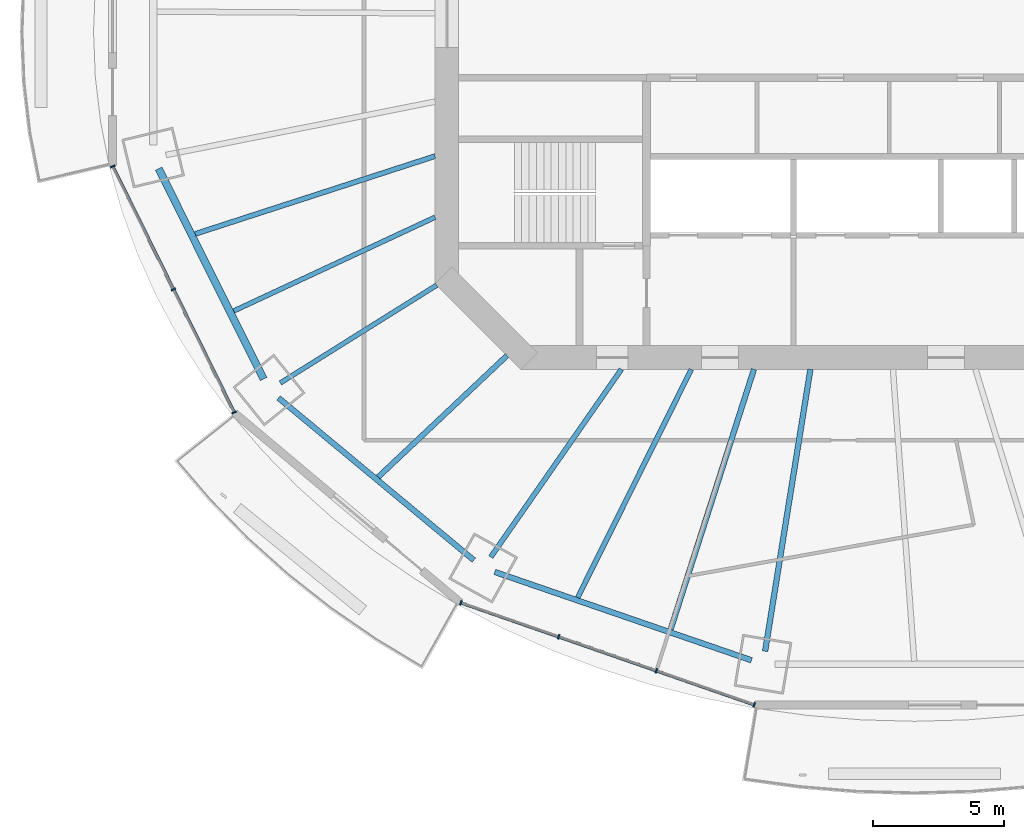
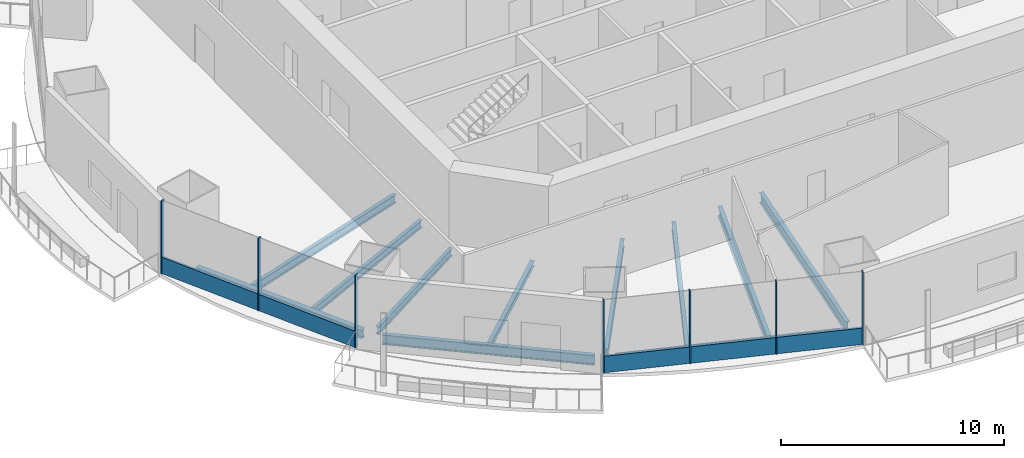
# One storey, part 2 of 20: 11 beams, 9 members, 2 elements without a shape of their own.
"""IFC4 building model written with IfcOpenShell, lengths in metres."""

import ifcopenshell
import ifcopenshell.guid

model = None  # the IFC model being written
_history = None  # IfcOwnerHistory: only IFC2X3 demands one
_inside = {}  # id of a spatial element -> (the spatial element, [elements in it])
_under = {}  # id of a project, library or spatial element -> (it, [spatial elements below it])
_declared = {}  # id of a project -> (the project, [libraries it declares])
_typed = {}  # id of a type object -> (the type object, [elements of that type])
_made_of = {}  # id of a material, layer set ... -> (it, [elements and type objects made of it])


def new_model(schema):
    """Start an empty IFC model of exactly this schema.

    Asked for "IFC4X3", IfcOpenShell would pick the latest addendum, in which some entities
    have other attributes; the version numbers below select the first issue.
    IFC2X3 requires an IfcOwnerHistory on every rooted entity: one is made here for all.
    """
    global model, _history
    if schema == "IFC4X3":
        model = ifcopenshell.file(schema_version=(4, 3, 0, 0))
    else:
        model = ifcopenshell.file(schema=schema)
    _inside.clear()
    _under.clear()
    _declared.clear()
    _typed.clear()
    _made_of.clear()
    _history = None
    if model.schema == "IFC2X3":
        org = make("IfcOrganization", Name="unknown")
        user = make(
            "IfcPersonAndOrganization",
            ThePerson=make("IfcPerson", FamilyName="unknown"),
            TheOrganization=org,
        )
        app = make(
            "IfcApplication",
            ApplicationDeveloper=org,
            Version="unknown",
            ApplicationFullName="unknown",
            ApplicationIdentifier="unknown",
        )
        _history = make(
            "IfcOwnerHistory",
            OwningUser=user,
            OwningApplication=app,
            ChangeAction="ADDED",
            CreationDate=0,
        )
    return model


def make(cls, **values):
    """One entity of the class cls with the attributes given. An attribute that is None is left unset."""
    return model.create_entity(
        cls, **{name: value for name, value in values.items() if value is not None}
    )


def rooted(cls, **values):
    """An entity with a GlobalId (a new one), such as an element, a storey or a relation."""
    return make(cls, GlobalId=ifcopenshell.guid.new(), OwnerHistory=_history, **values)


def si_unit(unit_type, name, prefix=None):
    """IfcSIUnit, for example si_unit("LENGTHUNIT", "METRE", prefix="MILLI")."""
    return make("IfcSIUnit", UnitType=unit_type, Prefix=prefix, Name=name)


def assignment(units):
    """IfcUnitAssignment: the units of a project."""
    return None if units is None else make("IfcUnitAssignment", Units=units)


def point(xyz):
    """IfcCartesianPoint."""
    return None if xyz is None else make("IfcCartesianPoint", Coordinates=xyz)


def direction(xyz):
    """IfcDirection."""
    return None if xyz is None else make("IfcDirection", DirectionRatios=xyz)


def frame(location, z_axis=None, x_axis=None):
    """IfcAxis2Placement3D, a coordinate frame: its origin and axes. An axis left out is left unset."""
    return make(
        "IfcAxis2Placement3D",
        Location=point(location),
        Axis=direction(z_axis),
        RefDirection=direction(x_axis),
    )


def frame_2d(location, x_axis=None):
    """IfcAxis2Placement2D, a coordinate frame in the plane: its origin and x axis."""
    return make(
        "IfcAxis2Placement2D", Location=point(location), RefDirection=direction(x_axis)
    )


def origin():
    """The frame at (0, 0, 0) with its axes left unset."""
    return frame((0.0, 0.0, 0.0))


def origin_2d():
    """The frame at (0, 0) in the plane with its x axis left unset."""
    return frame_2d((0.0, 0.0))


def place(relative_to, where):
    """IfcLocalPlacement: puts the frame where relative to a parent placement (None: the world)."""
    return make(
        "IfcLocalPlacement", PlacementRelTo=relative_to, RelativePlacement=where
    )


def context(
    kind, dimensions, precision=None, world=None, true_north=None, identifier=None
):
    """IfcGeometricRepresentationContext, for example the 3D "Model" context."""
    return make(
        "IfcGeometricRepresentationContext",
        ContextIdentifier=identifier,
        ContextType=kind,
        CoordinateSpaceDimension=dimensions,
        Precision=precision,
        WorldCoordinateSystem=world,
        TrueNorth=true_north,
    )


def subcontext(parent, identifier, kind, view, scale=None):
    """IfcGeometricRepresentationSubContext, for example "Body" below "Model"."""
    return make(
        "IfcGeometricRepresentationSubContext",
        ContextIdentifier=identifier,
        ContextType=kind,
        ParentContext=parent,
        TargetScale=scale,
        TargetView=view,
    )


def project(units=None, contexts=None):
    """IfcProject with its units and contexts."""
    return rooted(
        "IfcProject",
        Name="project",
        RepresentationContexts=contexts,
        UnitsInContext=assignment(units),
    )


def spatial(cls, under=None, at=None, **own):
    """A site, building, storey or space (cls), placed at a placement, below another one or the project."""
    s = rooted(cls, ObjectPlacement=at, **own)
    if under is not None:
        _under.setdefault(under.id(), (under, []))[1].append(s)
    return s


def profile(cls, at=None, kind="AREA", **sizes):
    """A parametric profile (cls). Its sizes go by their IFC names, for example OverallWidth=200.0."""
    return make(cls, ProfileType=kind, Position=at, **sizes)


def rectangle(**sizes):
    """IfcRectangleProfileDef."""
    return profile("IfcRectangleProfileDef", **sizes)


def i_section(**sizes):
    """IfcIShapeProfileDef."""
    return profile("IfcIShapeProfileDef", **sizes)


def extrude(swept, where, along, depth):
    """IfcExtrudedAreaSolid: the profile swept, set in the frame where, extruded along a direction by depth."""
    return make(
        "IfcExtrudedAreaSolid",
        SweptArea=swept,
        Position=where,
        ExtrudedDirection=direction(along),
        Depth=depth,
    )


def shape(context_of_items, identifier, shape_type, items):
    """IfcShapeRepresentation: the items that make up one representation, for example the "Body"."""
    return make(
        "IfcShapeRepresentation",
        ContextOfItems=context_of_items,
        RepresentationIdentifier=identifier,
        RepresentationType=shape_type,
        Items=items,
    )


def material(Name=None, Category=None):
    """IfcMaterial."""
    return make("IfcMaterial", Name=Name, Category=Category)


def material_profile(
    of_material, cross_section, Name=None, Category=None, Priority=None
):
    """IfcMaterialProfile: a cross section and its material."""
    return make(
        "IfcMaterialProfile",
        Name=Name,
        Material=of_material,
        Profile=cross_section,
        Priority=Priority,
        Category=Category,
    )


def profile_set(profiles, Name=None, composite=None):
    """IfcMaterialProfileSet."""
    return make(
        "IfcMaterialProfileSet",
        Name=Name,
        MaterialProfiles=profiles,
        CompositeProfile=composite,
    )


def made_of(thing, what):
    """Note that an element or type object is made of a material, layer set ...; save() writes the relation."""
    if what is not None:
        _made_of.setdefault(what.id(), (what, []))[1].append(thing)
    return thing


def type_object(cls, material=None, **own):
    """A type object (cls), such as IfcWallType, which elements share."""
    return made_of(rooted(cls, **own), material)


def element(
    cls,
    number,
    at=None,
    inside=None,
    cuts=None,
    type_object=None,
    material=None,
    context=None,
    identifier="Body",
    shape_type=None,
    held_by="IfcProductDefinitionShape",
    body=None,
    shapes=None,
    **own,
):
    """One element of the class cls, such as IfcWall. Its Tag is "e" and its number.

    at: its placement. inside: the storey or other place that contains it. cuts: it is an
    opening in that element (IfcRelVoidsElement). A single representation is given by context,
    identifier, shape_type and body (its items); several are given by shapes. held_by: the class
    of the entity that holds the representations. save() writes the other relations.
    """
    e = rooted(cls, Tag="e%d" % number, ObjectPlacement=at, **own)
    if body is not None:
        shapes = [shape(context, identifier, shape_type, body)]
    if shapes is not None:
        e.Representation = make(held_by, Representations=shapes)
    if inside is not None:
        _inside.setdefault(inside.id(), (inside, []))[1].append(e)
    if cuts is not None:
        rooted(
            "IfcRelVoidsElement", RelatingBuildingElement=cuts, RelatedOpeningElement=e
        )
    if type_object is not None:
        _typed.setdefault(type_object.id(), (type_object, []))[1].append(e)
    return made_of(e, material)


def aggregate(whole, parts):
    """IfcRelAggregates: a whole, such as a stair, and the parts it consists of."""
    return rooted("IfcRelAggregates", RelatingObject=whole, RelatedObjects=parts)


def save(model, path):
    """Write the relations noted so far, then the file.

    IfcRelAggregates (storeys below a building ...), IfcRelContainedInSpatialStructure (elements
    in a storey), IfcRelDefinesByType, IfcRelAssociatesMaterial and IfcRelDeclares: one each for
    every whole, place, type object, material and project.
    """
    for whole, parts in _under.values():
        aggregate(whole, parts)
    for where, things in _inside.values():
        rooted(
            "IfcRelContainedInSpatialStructure",
            RelatedElements=things,
            RelatingStructure=where,
        )
    for kind, things in _typed.values():
        rooted("IfcRelDefinesByType", RelatedObjects=things, RelatingType=kind)
    for what, things in _made_of.values():
        rooted("IfcRelAssociatesMaterial", RelatedObjects=things, RelatingMaterial=what)
    for by, libraries in _declared.values():
        rooted("IfcRelDeclares", RelatingContext=by, RelatedDefinitions=libraries)
    model.write(path)


model = new_model("IFC4")

# Units and contexts
model_context = context("Model", 3, precision=1e-05, world=origin(), true_north=direction((0.0, 1.0)))
body_context = subcontext(model_context, "Body", "Model", "MODEL_VIEW")
ifc_project = project(units=[si_unit("LENGTHUNIT", "METRE"), si_unit("AREAUNIT", "SQUARE_METRE"), si_unit("VOLUMEUNIT", "CUBIC_METRE"), si_unit("PLANEANGLEUNIT", "RADIAN"), si_unit("MASSUNIT", "GRAM", prefix="KILO")], contexts=[model_context])

# Site, building, storey
site_placement = place(None, origin())
site = spatial("IfcSite", under=ifc_project, at=site_placement, CompositionType="ELEMENT")
building_placement = place(site_placement, origin())
building = spatial("IfcBuilding", under=site, at=building_placement, Name="Marenthal Gate Tower", CompositionType="ELEMENT")
storey_placement = place(building_placement, frame((0.0, 0.0, 219.14990234375)))
storey = spatial("IfcBuildingStorey", under=building, at=storey_placement, Name="L48", CompositionType="ELEMENT", Elevation=219.14990234375)

# Curtain wall, members
ifc_material_1 = material(Name="Aluminium and glass", Category="aluminium")
curtain_wall_type = type_object("IfcCurtainWallType", Name="Curtain wall typical mid", PredefinedType="NOTDEFINED", material=ifc_material_1)
curtain_wall_1_placement = place(storey_placement, origin())
curtain_wall_1 = element("IfcCurtainWall", 1, at=curtain_wall_1_placement, inside=storey, type_object=curtain_wall_type, Name="Curtain wall L48 bay 9", PredefinedType="NOTDEFINED")
ifc_material_2 = material(Name="Aluminium", Category="aluminium")
ifc_material_profile_1 = material_profile(ifc_material_2, rectangle(XDim=0.179931640625, YDim=0.06005859375, at=origin_2d()), Name="60x180 aluminium mullion")
ifc_profile_set_1 = profile_set([ifc_material_profile_1], Name="Aluminium")
member_type_1 = type_object("IfcMemberType", Name="Mullion 60x180 typical mid", PredefinedType="MULLION", material=ifc_profile_set_1)
member_1_placement = place(storey_placement, frame((-28.718505859375, -5.724609375, 0.0), z_axis=(0.0, 0.0, 1.0), x_axis=(0.896756924648, 0.442523466153, 0.0)))
member_1 = element("IfcMember", 2, at=member_1_placement, type_object=member_type_1, Name="Mullion L48 bay 9.1", PredefinedType="MULLION", context=body_context, shape_type="SweptSolid", body=[
    extrude(rectangle(XDim=0.179931640625, YDim=0.06005859375, at=origin_2d()), origin(), (0.0, 0.0, 1.0), 3.97021484375),
])
member_2_placement = place(storey_placement, frame((-26.40771484375, -10.407470703125, 0.0), z_axis=(0.0, 0.0, 1.0), x_axis=(0.896756924648, 0.442523466153, 0.0)))
member_2 = element("IfcMember", 3, at=member_2_placement, type_object=member_type_1, Name="Mullion L48 bay 9.2", PredefinedType="MULLION", context=body_context, shape_type="SweptSolid", body=[
    extrude(rectangle(XDim=0.179931640625, YDim=0.06005859375, at=origin_2d()), origin(), (0.0, 0.0, 1.0), 3.97021484375),
])
member_3_placement = place(storey_placement, frame((-24.096923828125, -15.090087890625, 0.0), z_axis=(0.0, 0.0, 1.0), x_axis=(0.896756924648, 0.442523466153, 0.0)))
member_3 = element("IfcMember", 4, at=member_3_placement, type_object=member_type_1, Name="Mullion L48 bay 9.3", PredefinedType="MULLION", context=body_context, shape_type="SweptSolid", body=[
    extrude(rectangle(XDim=0.179931640625, YDim=0.06005859375, at=origin_2d()), origin(), (0.0, 0.0, 1.0), 3.97021484375),
])

curtain_wall_2_placement = place(storey_placement, origin())
curtain_wall_2 = element("IfcCurtainWall", 5, at=curtain_wall_2_placement, inside=storey, type_object=curtain_wall_type, Name="Curtain wall L48 bay 11", PredefinedType="NOTDEFINED")
member_4_placement = place(storey_placement, frame((-15.466552734375, -22.336181640625, 0.0), z_axis=(0.0, 0.0, 1.0), x_axis=(0.328400483847, 0.944538576348, 0.0)))
member_4 = element("IfcMember", 6, at=member_4_placement, type_object=member_type_1, Name="Mullion L48 bay 11.1", PredefinedType="MULLION", context=body_context, shape_type="SweptSolid", body=[
    extrude(rectangle(XDim=0.179931640625, YDim=0.06005859375, at=origin_2d()), origin(), (0.0, 0.0, 1.0), 3.97021484375),
])
member_5_placement = place(storey_placement, frame((-11.744873046875, -23.630126953125, 0.0), z_axis=(0.0, 0.0, 1.0), x_axis=(0.328400483847, 0.944538576348, 0.0)))
member_5 = element("IfcMember", 7, at=member_5_placement, type_object=member_type_1, Name="Mullion L48 bay 11.2", PredefinedType="MULLION", context=body_context, shape_type="SweptSolid", body=[
    extrude(rectangle(XDim=0.179931640625, YDim=0.06005859375, at=origin_2d()), origin(), (0.0, 0.0, 1.0), 3.97021484375),
])
member_6_placement = place(storey_placement, frame((-8.023193359375, -24.924072265625, 0.0), z_axis=(0.0, 0.0, 1.0), x_axis=(0.328400483847, 0.944538576348, 0.0)))
member_6 = element("IfcMember", 8, at=member_6_placement, type_object=member_type_1, Name="Mullion L48 bay 11.3", PredefinedType="MULLION", context=body_context, shape_type="SweptSolid", body=[
    extrude(rectangle(XDim=0.179931640625, YDim=0.06005859375, at=origin_2d()), origin(), (0.0, 0.0, 1.0), 3.97021484375),
])
member_7_placement = place(storey_placement, frame((-4.301513671875, -26.218017578125, 0.0), z_axis=(0.0, 0.0, 1.0), x_axis=(0.328400483847, 0.944538576348, 0.0)))
member_7 = element("IfcMember", 9, at=member_7_placement, type_object=member_type_1, Name="Mullion L48 bay 11.4", PredefinedType="MULLION", context=body_context, shape_type="SweptSolid", body=[
    extrude(rectangle(XDim=0.179931640625, YDim=0.06005859375, at=origin_2d()), origin(), (0.0, 0.0, 1.0), 3.97021484375),
])

# Member
ifc_material_3 = material(Name="Aluminium", Category="aluminium")
ifc_material_profile_2 = material_profile(ifc_material_3, rectangle(XDim=0.1201171875, YDim=0.89990234375, at=origin_2d()), Name="120x900 aluminium transom")
ifc_profile_set_2 = profile_set([ifc_material_profile_2], Name="Aluminium")
member_type_2 = type_object("IfcMemberType", Name="Transom 120x900 typical mid", PredefinedType="USERDEFINED", material=ifc_profile_set_2)
member_8_placement = place(storey_placement, frame((-28.705322265625, -5.75146484375, 0.4501953125), z_axis=(0.442533403339, -0.896752020867, 0.0), x_axis=(0.896752020867, 0.442533403339, 0.0)))
member_8 = element("IfcMember", 10, at=member_8_placement, type_object=member_type_2, Name="Transom L48 bay 9", ObjectType="TRANSOM", PredefinedType="USERDEFINED", context=body_context, shape_type="SweptSolid", body=[
    extrude(rectangle(XDim=0.1201171875, YDim=0.89990234375, at=origin_2d()), origin(), (0.0, 0.0, 1.0), 10.3837890625),
])

aggregate(curtain_wall_1, [member_1, member_2, member_3, member_8])

member_9_placement = place(storey_placement, frame((-15.438232421875, -22.345947265625, 0.4501953125), z_axis=(0.944535997597, -0.328407900703, 0.0), x_axis=(0.328407900703, 0.944535997597, 0.0)))
member_9 = element("IfcMember", 11, at=member_9_placement, type_object=member_type_2, Name="Transom L48 bay 11", ObjectType="TRANSOM", PredefinedType="USERDEFINED", context=body_context, shape_type="SweptSolid", body=[
    extrude(rectangle(XDim=0.1201171875, YDim=0.89990234375, at=origin_2d()), origin(), (0.0, 0.0, 1.0), 11.7607421875),
])

aggregate(curtain_wall_2, [member_4, member_5, member_6, member_7, member_9])

# Beams
ifc_material_4 = material(Name="Steel S355", Category="steel")
ifc_material_profile_3 = material_profile(ifc_material_4, i_section(OverallWidth=0.205078125, OverallDepth=0.31005859375, WebThickness=0.009521484375, FlangeThickness=0.016357421875, FilletRadius=0.0126953125, at=origin_2d()), Name="W310X74")
ifc_profile_set_3 = profile_set([ifc_material_profile_3], Name="Steel S355")
beam_type_1 = type_object("IfcBeamType", Name="W310X74 beam", PredefinedType="BEAM", material=ifc_profile_set_3)
beam_1_placement = place(storey_placement, frame((-18.61572265625, -17.552734375, -0.3349609375), z_axis=(0.727566170505, 0.686037511756, 0.0), x_axis=(-0.686037511756, 0.727566170505, 0.0)))
element("IfcBeam", 12, at=beam_1_placement, inside=storey, type_object=beam_type_1, Name="BM-L48-31", PredefinedType="BEAM", context=body_context, shape_type="SweptSolid", body=[
    extrude(i_section(OverallWidth=0.205078125, OverallDepth=0.31005859375, WebThickness=0.009521484375, FlangeThickness=0.016357421875, FilletRadius=0.0126953125, at=origin_2d()), origin(), (0.0, 0.0, 1.0), 6.742919921875),
])
ifc_material_5 = material(Name="Steel S355", Category="steel")
ifc_material_profile_4 = material_profile(ifc_material_5, i_section(OverallWidth=0.180908203125, OverallDepth=0.4169921875, WebThickness=0.010986328125, FlangeThickness=0.018310546875, FilletRadius=0.01025390625, at=origin_2d()), Name="W410X85")
ifc_profile_set_4 = profile_set([ifc_material_profile_4], Name="Steel S355")
beam_type_2 = type_object("IfcBeamType", Name="W410X85 beam", PredefinedType="BEAM", material=ifc_profile_set_4)
beam_2_placement = place(storey_placement, frame((-22.33984375, -13.97021484375, -0.388427734375), z_axis=(0.847861501348, 0.530217761426, 0.0), x_axis=(-0.530217761426, 0.847861501348, 0.0)))
element("IfcBeam", 13, at=beam_2_placement, inside=storey, type_object=beam_type_2, Name="BM-L48-10", PredefinedType="BEAM", context=body_context, shape_type="SweptSolid", body=[
    extrude(i_section(OverallWidth=0.180908203125, OverallDepth=0.4169921875, WebThickness=0.010986328125, FlangeThickness=0.018310546875, FilletRadius=0.01025390625, at=origin_2d()), origin(), (0.0, 0.0, 1.0), 7.01953125),
])
beam_3_placement = place(storey_placement, frame((-24.1142578125, -11.23046875, -0.388427734375), z_axis=(0.906515570003, 0.422172383444, 0.0), x_axis=(-0.422172383444, 0.906515570003, 0.0)))
element("IfcBeam", 14, at=beam_3_placement, inside=storey, type_object=beam_type_2, Name="BM-L48-30", PredefinedType="BEAM", context=body_context, shape_type="SweptSolid", body=[
    extrude(i_section(OverallWidth=0.180908203125, OverallDepth=0.4169921875, WebThickness=0.010986328125, FlangeThickness=0.018310546875, FilletRadius=0.01025390625, at=origin_2d()), origin(), (0.0, 0.0, 1.0), 8.45458984375),
])
ifc_material_6 = material(Name="Steel S355", Category="steel")
ifc_material_profile_5 = material_profile(ifc_material_6, i_section(OverallWidth=0.279052734375, OverallDepth=0.4619140625, WebThickness=0.0107421875, FlangeThickness=0.017333984375, FilletRadius=0.010009765625, at=origin_2d()), Name="W460X113")
ifc_profile_set_5 = profile_set([ifc_material_profile_5], Name="Steel S355")
beam_type_3 = type_object("IfcBeamType", Name="W460X113 beam", PredefinedType="BEAM", material=ifc_profile_set_5)
beam_4_placement = place(storey_placement, frame((-26.97021484375, -5.814697265625, -0.410888671875), z_axis=(0.44619754622, -0.894934494668, 0.0), x_axis=(0.894934494668, 0.44619754622, 0.0)))
element("IfcBeam", 15, at=beam_4_placement, inside=storey, type_object=beam_type_3, Name="BM-L48-49", PredefinedType="BEAM", context=body_context, shape_type="SweptSolid", body=[
    extrude(i_section(OverallWidth=0.279052734375, OverallDepth=0.4619140625, WebThickness=0.0107421875, FlangeThickness=0.017333984375, FilletRadius=0.010009765625, at=origin_2d()), origin(), (0.0, 0.0, 1.0), 8.941162109375),
])
ifc_material_7 = material(Name="Steel S355", Category="steel")
ifc_material_profile_6 = material_profile(ifc_material_7, i_section(OverallWidth=0.193115234375, OverallDepth=0.467041015625, WebThickness=0.011474609375, FlangeThickness=0.01904296875, FilletRadius=0.010009765625, at=origin_2d()), Name="W460X97")
ifc_profile_set_6 = profile_set([ifc_material_profile_6], Name="Steel S355")
beam_type_4 = type_object("IfcBeamType", Name="W460X97 beam", PredefinedType="BEAM", material=ifc_profile_set_6)
beam_5_placement = place(storey_placement, frame((-14.32861328125, -20.597900390625, -0.413330078125), z_axis=(0.571058737627, 0.820909202153, 0.0), x_axis=(-0.820909202153, 0.571058737627, 0.0)))
element("IfcBeam", 16, at=beam_5_placement, inside=storey, type_object=beam_type_4, Name="BM-L48-11", PredefinedType="BEAM", context=body_context, shape_type="SweptSolid", body=[
    extrude(i_section(OverallWidth=0.193115234375, OverallDepth=0.467041015625, WebThickness=0.011474609375, FlangeThickness=0.01904296875, FilletRadius=0.010009765625, at=origin_2d()), origin(), (0.0, 0.0, 1.0), 8.707275390625),
])
beam_6_placement = place(storey_placement, frame((-25.577392578125, -8.2958984375, -0.413330078125), z_axis=(0.951216764882, 0.308523364119, 0.0), x_axis=(-0.308523364119, 0.951216764882, 0.0)))
element("IfcBeam", 17, at=beam_6_placement, inside=storey, type_object=beam_type_4, Name="BM-L48-29", PredefinedType="BEAM", context=body_context, shape_type="SweptSolid", body=[
    extrude(i_section(OverallWidth=0.193115234375, OverallDepth=0.467041015625, WebThickness=0.011474609375, FlangeThickness=0.01904296875, FilletRadius=0.010009765625, at=origin_2d()), origin(), (0.0, 0.0, 1.0), 9.595458984375),
])
beam_7_placement = place(storey_placement, frame((-11.018798828125, -22.138916015625, -0.413330078125), z_axis=(0.445582855752, 0.895240704314, 0.0), x_axis=(-0.895240704314, 0.445582855752, 0.0)))
element("IfcBeam", 18, at=beam_7_placement, inside=storey, type_object=beam_type_4, Name="BM-L48-32", PredefinedType="BEAM", context=body_context, shape_type="SweptSolid", body=[
    extrude(i_section(OverallWidth=0.193115234375, OverallDepth=0.467041015625, WebThickness=0.011474609375, FlangeThickness=0.01904296875, FilletRadius=0.010009765625, at=origin_2d()), origin(), (0.0, 0.0, 1.0), 9.705810546875),
])
ifc_material_8 = material(Name="Steel S355", Category="steel")
ifc_material_profile_7 = material_profile(ifc_material_8, i_section(OverallWidth=0.2099609375, OverallDepth=0.535888671875, WebThickness=0.010986328125, FlangeThickness=0.017333984375, FilletRadius=0.0126953125, at=origin_2d()), Name="W530X101")
ifc_profile_set_7 = profile_set([ifc_material_profile_7], Name="Steel S355")
beam_type_5 = type_object("IfcBeamType", Name="W530X101 beam", PredefinedType="BEAM", material=ifc_profile_set_7)
beam_8_placement = place(storey_placement, frame((-7.4833984375, -23.35546875, -0.447998046875), z_axis=(0.305129993383, 0.952310709348, 0.0), x_axis=(-0.952310709348, 0.305129993383, 0.0)))
element("IfcBeam", 19, at=beam_8_placement, inside=storey, type_object=beam_type_5, Name="BM-L48-33", PredefinedType="BEAM", context=body_context, shape_type="SweptSolid", body=[
    extrude(i_section(OverallWidth=0.2099609375, OverallDepth=0.535888671875, WebThickness=0.010986328125, FlangeThickness=0.017333984375, FilletRadius=0.0126953125, at=origin_2d()), origin(), (0.0, 0.0, 1.0), 10.401611328125),
])
ifc_material_9 = material(Name="Steel S355", Category="steel")
ifc_material_profile_8 = material_profile(ifc_material_9, i_section(OverallWidth=0.2119140625, OverallDepth=0.5439453125, WebThickness=0.01318359375, FlangeThickness=0.021240234375, FilletRadius=0.0126953125, at=origin_2d()), Name="W530X123")
ifc_profile_set_8 = profile_set([ifc_material_profile_8], Name="Steel S355")
beam_type_6 = type_object("IfcBeamType", Name="W530X123 beam", PredefinedType="BEAM", material=ifc_profile_set_8)
beam_9_placement = place(storey_placement, frame((-3.885498046875, -24.184814453125, -0.451904296875), z_axis=(0.158621026168, 0.987339541423, 0.0), x_axis=(-0.987339541423, 0.158621026168, 0.0)))
element("IfcBeam", 20, at=beam_9_placement, inside=storey, type_object=beam_type_6, Name="BM-L48-12", PredefinedType="BEAM", context=body_context, shape_type="SweptSolid", body=[
    extrude(i_section(OverallWidth=0.2119140625, OverallDepth=0.5439453125, WebThickness=0.01318359375, FlangeThickness=0.021240234375, FilletRadius=0.0126953125, at=origin_2d()), origin(), (0.0, 0.0, 1.0), 10.87255859375),
])
beam_10_placement = place(storey_placement, frame((-22.408935546875, -14.539306640625, -0.451904296875), z_axis=(0.769187507268, -0.639023144074, 0.0), x_axis=(0.639023144074, 0.769187507268, 0.0)))
element("IfcBeam", 21, at=beam_10_placement, inside=storey, type_object=beam_type_6, Name="BM-L48-50", PredefinedType="BEAM", context=body_context, shape_type="SweptSolid", body=[
    extrude(i_section(OverallWidth=0.2119140625, OverallDepth=0.5439453125, WebThickness=0.01318359375, FlangeThickness=0.021240234375, FilletRadius=0.0126953125, at=origin_2d()), origin(), (0.0, 0.0, 1.0), 9.663330078125),
])
beam_11_placement = place(storey_placement, frame((-14.177490234375, -21.163818359375, -0.451904296875), z_axis=(0.945570591429, -0.325417050299, 0.0), x_axis=(0.325417050299, 0.945570591429, 0.0)))
element("IfcBeam", 22, at=beam_11_placement, inside=storey, type_object=beam_type_6, Name="BM-L48-51", PredefinedType="BEAM", context=body_context, shape_type="SweptSolid", body=[
    extrude(i_section(OverallWidth=0.2119140625, OverallDepth=0.5439453125, WebThickness=0.01318359375, FlangeThickness=0.021240234375, FilletRadius=0.0126953125, at=origin_2d()), origin(), (0.0, 0.0, 1.0), 10.3369140625),
])

save(model, "model.ifc")
